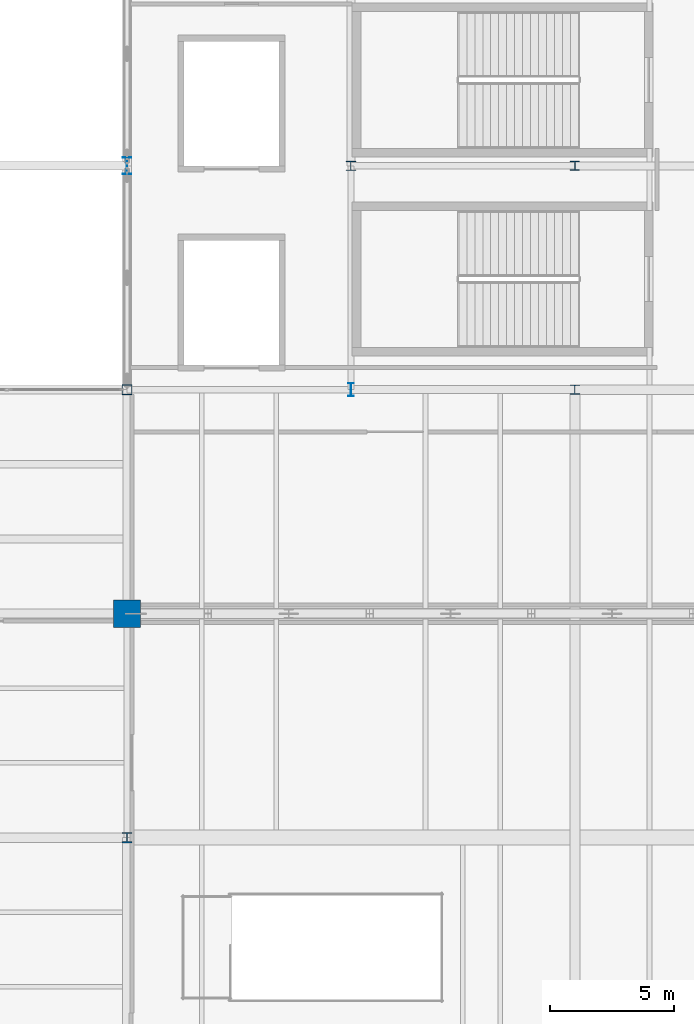
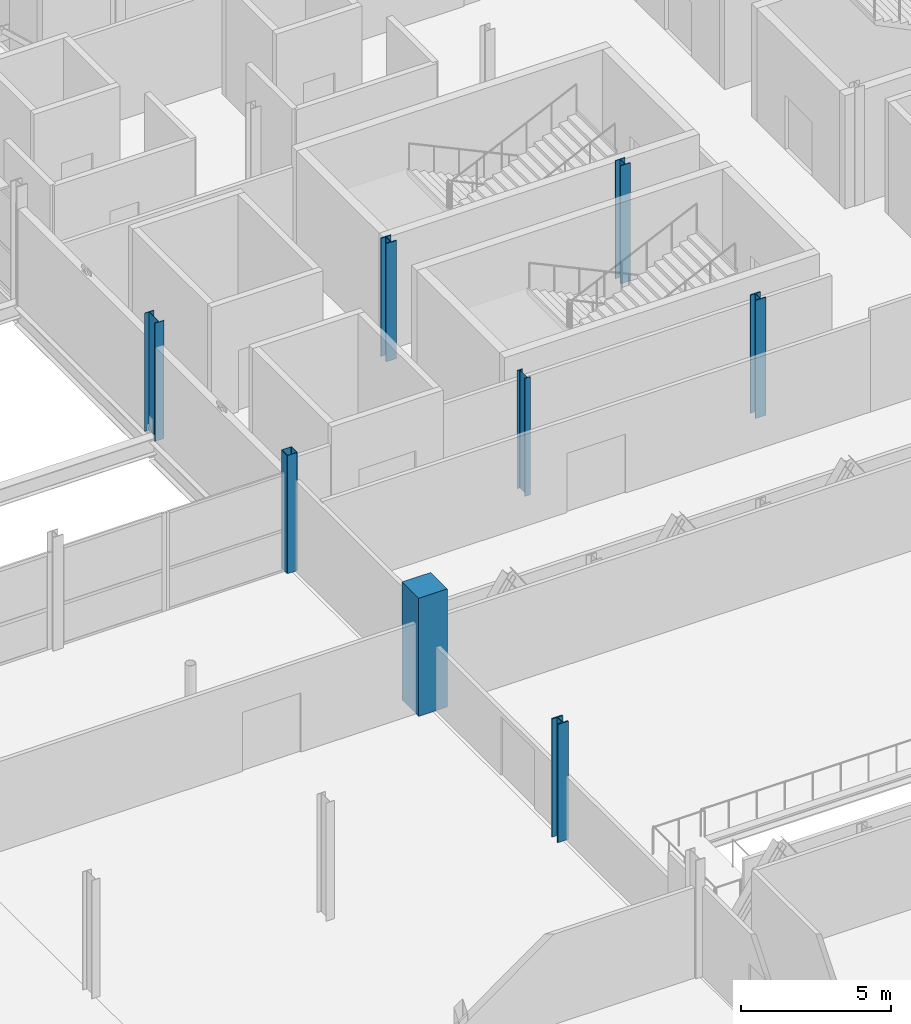
# One storey, part 11 of 224: 8 columns.
"""IFC4 building model written with IfcOpenShell, lengths in metres."""

from ifc_helpers import new_model, si_unit, direction, frame, origin, origin_2d, place, context, subcontext, project, spatial, rectangle, hollow_rectangle, i_section, extrude, material, material_profile, profile_set, type_object, element, save


model = new_model("IFC4")

# Units and contexts
model_context = context("Model", 3, precision=1e-05, world=origin(), true_north=direction((0.0, 1.0)))
body_context = subcontext(model_context, "Body", "Model", "MODEL_VIEW")
ifc_project = project(units=[si_unit("LENGTHUNIT", "METRE"), si_unit("AREAUNIT", "SQUARE_METRE"), si_unit("VOLUMEUNIT", "CUBIC_METRE"), si_unit("PLANEANGLEUNIT", "RADIAN"), si_unit("MASSUNIT", "GRAM", prefix="KILO")], contexts=[model_context])

# Site, building, storey
site_placement = place(None, origin())
site = spatial("IfcSite", under=ifc_project, at=site_placement, CompositionType="ELEMENT")
building_placement = place(site_placement, origin())
building = spatial("IfcBuilding", under=site, at=building_placement, Name="Qamarlyn Nura Convention Centre", CompositionType="ELEMENT")
storey_placement = place(building_placement, frame((0.0, 0.0, 10.800048828125)))
storey = spatial("IfcBuildingStorey", under=building, at=storey_placement, Name="L02", CompositionType="ELEMENT", Elevation=10.800048828125)

# Columns
ifc_material_1 = material(Name="Steel ASTM A500 Grade C", Category="steel")
ifc_material_profile_1 = material_profile(ifc_material_1, hollow_rectangle(XDim=0.39990234375, YDim=0.39990234375, WallThickness=0.01611328125, InnerFilletRadius=0.01611328125, OuterFilletRadius=0.031982421875, at=origin_2d()), Name="HSS400X400X16")
ifc_profile_set_1 = profile_set([ifc_material_profile_1], Name="Steel ASTM A500 Grade C")
column_type_1 = type_object("IfcColumnType", Name="COL-HSS-1", PredefinedType="COLUMN", material=ifc_profile_set_1)
column_1_placement = place(storey_placement, frame((153.0, 54.0, 0.0), z_axis=(0.0, 0.0, 1.0), x_axis=(1.0, 0.0, 0.0)))
element("IfcColumn", 1, at=column_1_placement, inside=storey, type_object=column_type_1, Name="L02 column 13/G", PredefinedType="COLUMN", context=body_context, shape_type="SweptSolid", body=[
    extrude(hollow_rectangle(XDim=0.39990234375, YDim=0.39990234375, WallThickness=0.01611328125, InnerFilletRadius=0.01611328125, OuterFilletRadius=0.031982421875, at=origin_2d()), origin(), (0.0, 0.0, 1.0), 4.800048828125),
])
ifc_material_2 = material(Name="Steel ASTM A992", Category="steel")
ifc_material_profile_2 = material_profile(ifc_material_2, i_section(OverallWidth=0.408935546875, OverallDepth=0.425048828125, WebThickness=0.030517578125, FlangeThickness=0.049072265625, FilletRadius=0.02001953125, at=origin_2d()), Name="W360X421")
ifc_profile_set_2 = profile_set([ifc_material_profile_2], Name="Steel ASTM A992")
column_type_2 = type_object("IfcColumnType", Name="COL-MEGA-1", PredefinedType="COLUMN", material=ifc_profile_set_2)
column_2_placement = place(storey_placement, frame((153.0, 36.0, 0.0), z_axis=(0.0, 0.0, 1.0), x_axis=(1.0, 0.0, 0.0)))
element("IfcColumn", 2, at=column_2_placement, inside=storey, type_object=column_type_2, Name="L02 column 13/E", PredefinedType="COLUMN", context=body_context, shape_type="SweptSolid", body=[
    extrude(i_section(OverallWidth=0.408935546875, OverallDepth=0.425048828125, WebThickness=0.030517578125, FlangeThickness=0.049072265625, FilletRadius=0.02001953125, at=origin_2d()), origin(), (0.0, 0.0, 1.0), 4.800048828125),
])
ifc_material_3 = material(Name="Concrete C50/60", Category="concrete")
ifc_material_profile_3 = material_profile(ifc_material_3, rectangle(XDim=1.10009765625, YDim=1.10009765625, at=origin_2d()), Name="RC 1100x1100")
ifc_profile_set_3 = profile_set([ifc_material_profile_3], Name="Concrete C50/60")
column_type_3 = type_object("IfcColumnType", Name="COL-MEGA-2", PredefinedType="COLUMN", material=ifc_profile_set_3)
column_3_placement = place(storey_placement, frame((153.0, 45.0, 0.0), z_axis=(0.0, 0.0, 1.0), x_axis=(1.0, 0.0, 0.0)))
element("IfcColumn", 3, at=column_3_placement, inside=storey, type_object=column_type_3, Name="L02 column 13/F", PredefinedType="COLUMN", context=body_context, shape_type="SweptSolid", body=[
    extrude(rectangle(XDim=1.10009765625, YDim=1.10009765625, at=origin_2d()), origin(), (0.0, 0.0, 1.0), 4.800048828125),
])
ifc_material_profile_4 = material_profile(ifc_material_2, i_section(OverallWidth=0.39892578125, OverallDepth=0.39306640625, WebThickness=0.022705078125, FlangeThickness=0.03662109375, FilletRadius=0.01806640625, at=origin_2d()), Name="W360X287")
ifc_profile_set_4 = profile_set([ifc_material_profile_4], Name="Steel ASTM A992")
column_type_4 = type_object("IfcColumnType", Name="COL-WING-1", PredefinedType="COLUMN", material=ifc_profile_set_4)
for number, where, z_axis, x_axis, name in (
    (4, (162.0, 63.0, 0.0), (0.0, 0.0, 1.0), (1.0, 0.0, 0.0), "L02 column 14/H"),
    (5, (171.0, 54.0, 0.0), (0.0, 0.0, 1.0), (1.0, 0.0, 0.0), "L02 column 15/G"),
):
    element("IfcColumn", number, at=place(storey_placement, frame(where, z_axis=z_axis, x_axis=x_axis)), inside=storey, type_object=column_type_4, Name=name, PredefinedType="COLUMN", context=body_context, shape_type="SweptSolid", body=[
        extrude(i_section(OverallWidth=0.39892578125, OverallDepth=0.39306640625, WebThickness=0.022705078125, FlangeThickness=0.03662109375, FilletRadius=0.01806640625, at=origin_2d()), origin(), (0.0, 0.0, 1.0), 4.800048828125),
    ])
ifc_material_profile_5 = material_profile(ifc_material_2, i_section(OverallWidth=0.3740234375, OverallDepth=0.3720703125, WebThickness=0.016357421875, FlangeThickness=0.026123046875, FilletRadius=0.01611328125, at=origin_2d()), Name="W360X196")
ifc_profile_set_5 = profile_set([ifc_material_profile_5], Name="Steel ASTM A992")
column_type_5 = type_object("IfcColumnType", Name="COL-WING-2", PredefinedType="COLUMN", material=ifc_profile_set_5)
column_4_placement = place(storey_placement, frame((171.0, 63.0, 0.0), z_axis=(0.0, 0.0, 1.0), x_axis=(1.0, 0.0, 0.0)))
element("IfcColumn", 6, at=column_4_placement, inside=storey, type_object=column_type_5, Name="L02 column 15/H", PredefinedType="COLUMN", context=body_context, shape_type="SweptSolid", body=[
    extrude(i_section(OverallWidth=0.3740234375, OverallDepth=0.3720703125, WebThickness=0.016357421875, FlangeThickness=0.026123046875, FilletRadius=0.01611328125, at=origin_2d()), origin(), (0.0, 0.0, 1.0), 4.800048828125),
])
ifc_material_profile_6 = material_profile(ifc_material_2, i_section(OverallWidth=0.35498046875, OverallDepth=0.695068359375, WebThickness=0.015380859375, FlangeThickness=0.02490234375, FilletRadius=0.01806640625, at=origin_2d()), Name="W690X217")
ifc_profile_set_6 = profile_set([ifc_material_profile_6], Name="Steel ASTM A992")
column_type_6 = type_object("IfcColumnType", Name="COL-WING-5", PredefinedType="COLUMN", material=ifc_profile_set_6)
column_5_placement = place(storey_placement, frame((153.0, 63.0, 0.0), z_axis=(0.0, 0.0, 1.0), x_axis=(1.0, 0.0, 0.0)))
element("IfcColumn", 7, at=column_5_placement, inside=storey, type_object=column_type_6, Name="L02 column 13/H", PredefinedType="COLUMN", context=body_context, shape_type="SweptSolid", body=[
    extrude(i_section(OverallWidth=0.35498046875, OverallDepth=0.695068359375, WebThickness=0.015380859375, FlangeThickness=0.02490234375, FilletRadius=0.01806640625, at=origin_2d()), origin(), (0.0, 0.0, 1.0), 4.800048828125),
])
ifc_material_profile_7 = material_profile(ifc_material_2, i_section(OverallWidth=0.2109375, OverallDepth=0.5390625, WebThickness=0.01171875, FlangeThickness=0.018798828125, FilletRadius=0.013916015625, at=origin_2d()), Name="W530X109")
ifc_profile_set_7 = profile_set([ifc_material_profile_7], Name="Steel ASTM A992")
column_type_7 = type_object("IfcColumnType", Name="COL-WING-7", PredefinedType="COLUMN", material=ifc_profile_set_7)
column_6_placement = place(storey_placement, frame((162.0, 54.0, 0.0), z_axis=(0.0, 0.0, 1.0), x_axis=(1.0, 0.0, 0.0)))
element("IfcColumn", 8, at=column_6_placement, inside=storey, type_object=column_type_7, Name="L02 column 14/G", PredefinedType="COLUMN", context=body_context, shape_type="SweptSolid", body=[
    extrude(i_section(OverallWidth=0.2109375, OverallDepth=0.5390625, WebThickness=0.01171875, FlangeThickness=0.018798828125, FilletRadius=0.013916015625, at=origin_2d()), origin(), (0.0, 0.0, 1.0), 4.800048828125),
])

save(model, "model.ifc")
